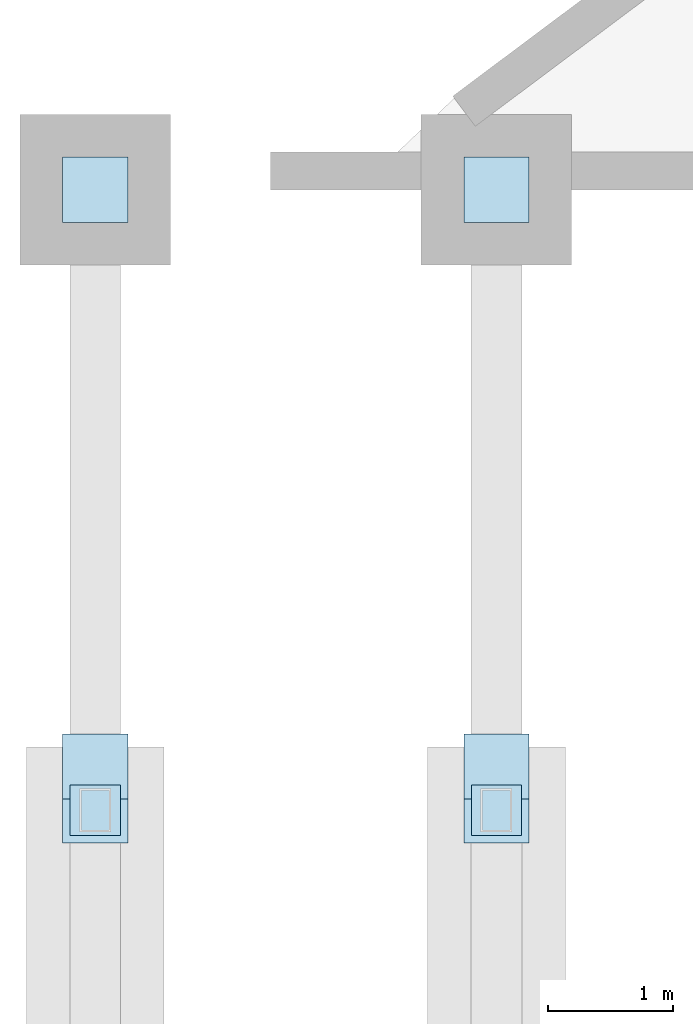
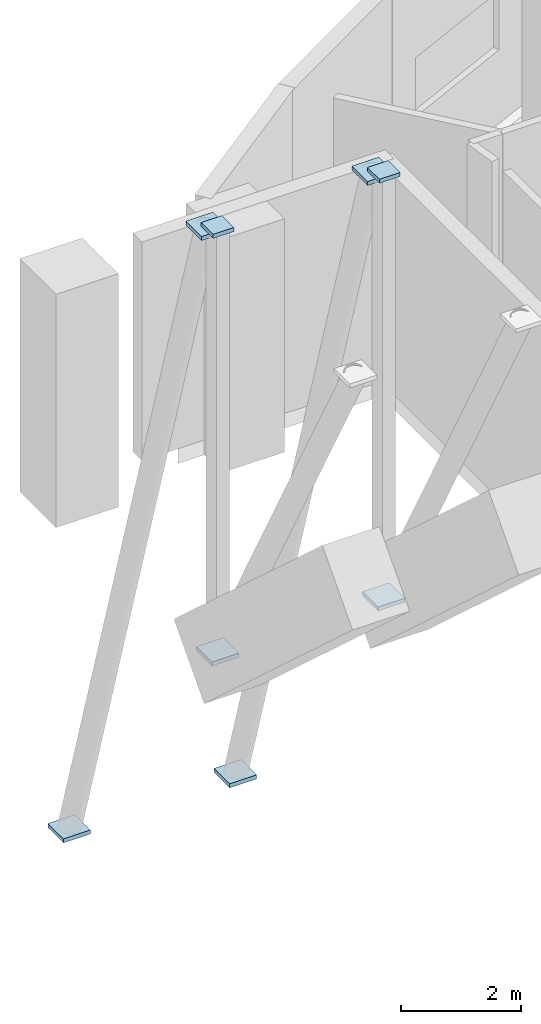
# One storey, part 13 of 24: 8 plates.
"""IFC4 building model written with IfcOpenShell, lengths in metres."""

from ifc_helpers import new_model, si_unit, direction, frame, origin, origin_2d, place, context, subcontext, project, spatial, rectangle, extrude, material, layer, layer_set, type_object, element, save


model = new_model("IFC4")

# Units and contexts
model_context = context("Model", 3, precision=1e-05, world=origin(), true_north=direction((0.0, 1.0)))
body_context = subcontext(model_context, "Body", "Model", "MODEL_VIEW")
ifc_project = project(units=[si_unit("LENGTHUNIT", "METRE"), si_unit("AREAUNIT", "SQUARE_METRE"), si_unit("VOLUMEUNIT", "CUBIC_METRE"), si_unit("PLANEANGLEUNIT", "RADIAN"), si_unit("MASSUNIT", "GRAM", prefix="KILO")], contexts=[model_context])

# Site, building, storey
site_placement = place(None, origin())
site = spatial("IfcSite", under=ifc_project, at=site_placement, CompositionType="ELEMENT")
building_placement = place(site_placement, origin())
building = spatial("IfcBuilding", under=site, at=building_placement, Name="Korentha Bioscience Tower", CompositionType="ELEMENT")
storey_placement = place(building_placement, frame((0.0, 0.0, 10.199951171875)))
storey = spatial("IfcBuildingStorey", under=building, at=storey_placement, Name="L02", CompositionType="ELEMENT", Elevation=10.199951171875)

# Plates
ifc_material = material(Name="Steel S355", Category="steel")
ifc_layer_1 = layer(ifc_material, 0.080078125, Name="Steel S355")
ifc_layer_set_1 = layer_set([ifc_layer_1], Name="Steel S355 (CP-02)")
plate_type_1 = type_object("IfcPlateType", Name="Hollow Section End Cap Plate 400x400x80", PredefinedType="USERDEFINED", material=ifc_layer_set_1)
for number, where, z_axis, x_axis, name in (
    (1, (7.199951171875, 36.85009765625, 8.2099609375), (0.0, 0.0, 1.0), (1.0, 0.0, 0.0), "Arch Vertical 1-6 End Cap 2"),
    (2, (10.39990234375, 36.85009765625, 8.2099609375), (0.0, 0.0, 1.0), (1.0, 0.0, 0.0), "Arch Vertical 2-6 End Cap 2"),
):
    element("IfcPlate", number, at=place(storey_placement, frame(where, z_axis=z_axis, x_axis=x_axis)), inside=storey, type_object=plate_type_1, Name=name, ObjectType="CAP_PLATE", PredefinedType="USERDEFINED", context=body_context, shape_type="SweptSolid", body=[
        extrude(rectangle(XDim=0.39990234375, YDim=0.39990234375, at=origin_2d()), origin(), (0.0, 0.0, 1.0), 0.080078125),
    ])
ifc_layer_2 = layer(ifc_material, 0.080078125, Name="Steel S355")
ifc_layer_set_2 = layer_set([ifc_layer_2], Name="Steel S355 (CP-01)")
plate_type_2 = type_object("IfcPlateType", Name="Hollow Section End Cap Plate 520x520x80", PredefinedType="USERDEFINED", material=ifc_layer_set_2)
for number, where, z_axis, x_axis, name in (
    (3, (7.199951171875, 36.85009765625, -0.43994140625), (0.0, 0.0, 1.0), (0.0, 1.0, 0.0), "Arch Strut 1-5 End Cap 1"),
    (4, (7.199951171875, 41.800048828125, -7.0400390625), (0.0, 0.0, 1.0), (0.0, 1.0, 0.0), "Arch Strut 1-6 End Cap 1"),
    (5, (7.199951171875, 37.199951171875, 8.010009765625), (0.0, 0.0, 1.0), (0.0, 1.0, 0.0), "Arch Strut 1-6 End Cap 2"),
    (6, (10.39990234375, 36.85009765625, -0.43994140625), (0.0, 0.0, 1.0), (0.0, 1.0, 0.0), "Arch Strut 2-5 End Cap 1"),
    (7, (10.39990234375, 41.800048828125, -7.0400390625), (0.0, 0.0, 1.0), (0.0, 1.0, 0.0), "Arch Strut 2-6 End Cap 1"),
    (8, (10.39990234375, 37.199951171875, 8.010009765625), (0.0, 0.0, 1.0), (0.0, 1.0, 0.0), "Arch Strut 2-6 End Cap 2"),
):
    element("IfcPlate", number, at=place(storey_placement, frame(where, z_axis=z_axis, x_axis=x_axis)), inside=storey, type_object=plate_type_2, Name=name, ObjectType="CAP_PLATE", PredefinedType="USERDEFINED", context=body_context, shape_type="SweptSolid", body=[
        extrude(rectangle(XDim=0.52001953125, YDim=0.52001953125, at=origin_2d()), origin(), (0.0, 0.0, 1.0), 0.080078125),
    ])

save(model, "model.ifc")
